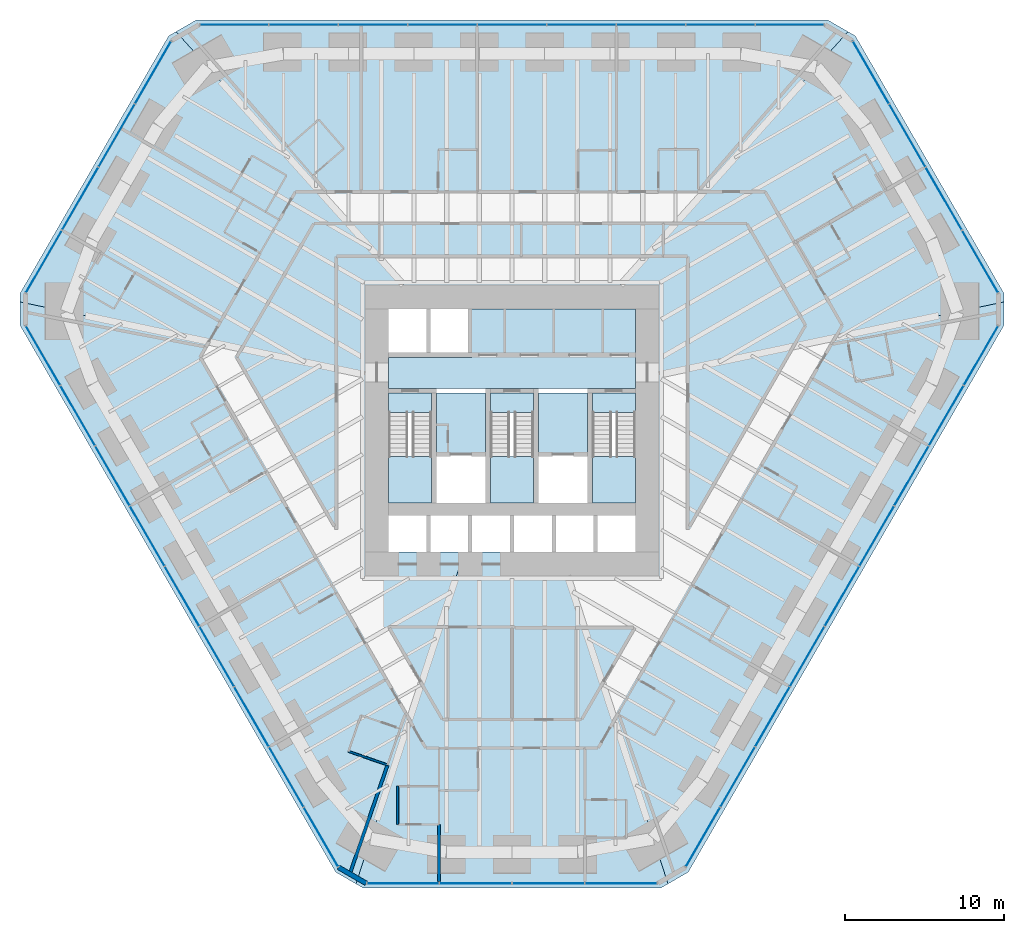
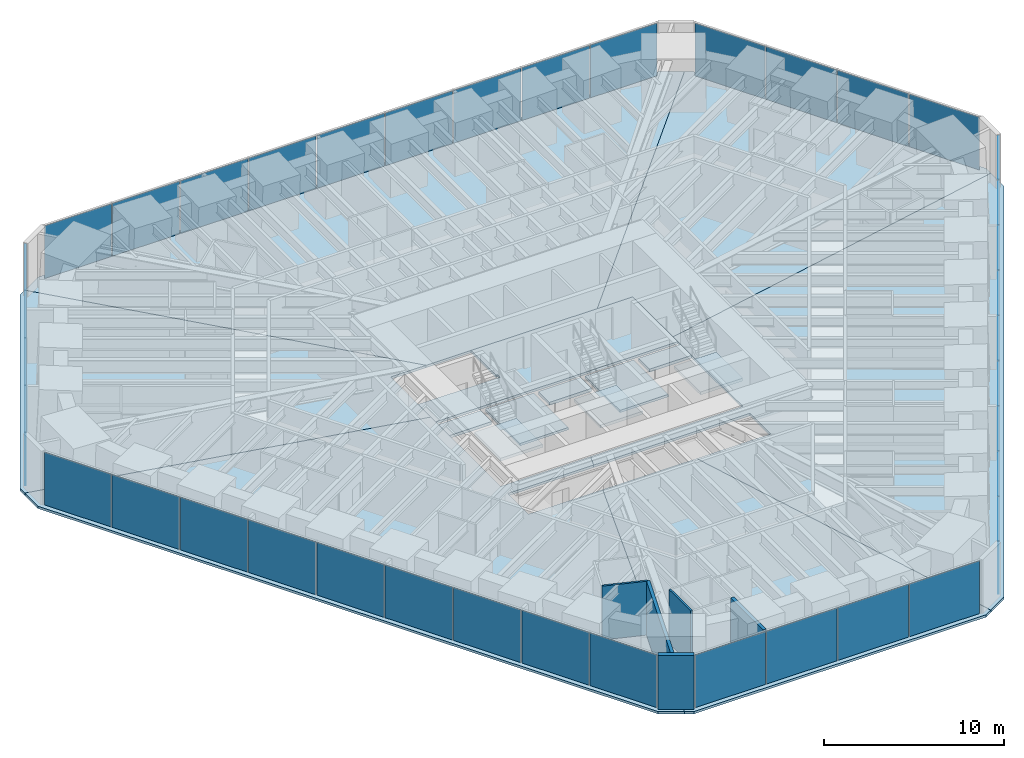
# One storey, part 10 of 17: 39 plates, 15 slabs, 5 walls, 9 elements without a shape of their own.
"""IFC4 building model written with IfcOpenShell, lengths in metres."""

from ifc_helpers import new_model, si_unit, direction, frame, frame_2d, origin, origin_2d, place, context, subcontext, project, spatial, polyline, rectangle, outline, extrude, material, layer, layer_set, type_object, element, aggregate, save


model = new_model("IFC4")

# Units and contexts
model_context = context("Model", 3, precision=1e-05, world=origin(), true_north=direction((0.0, 1.0)))
body_context = subcontext(model_context, "Body", "Model", "MODEL_VIEW")
ifc_project = project(units=[si_unit("LENGTHUNIT", "METRE"), si_unit("AREAUNIT", "SQUARE_METRE"), si_unit("VOLUMEUNIT", "CUBIC_METRE"), si_unit("PLANEANGLEUNIT", "RADIAN"), si_unit("MASSUNIT", "GRAM", prefix="KILO")], contexts=[model_context])

# Site, building, storey
site_placement = place(None, origin())
site = spatial("IfcSite", under=ifc_project, at=site_placement, CompositionType="ELEMENT")
building_placement = place(site_placement, origin())
building = spatial("IfcBuilding", under=site, at=building_placement, Name="Sandreach Pilgrim Tower", CompositionType="ELEMENT")
storey_placement = place(building_placement, frame((0.0, 0.0, 68.60009765625)))
storey = spatial("IfcBuildingStorey", under=building, at=storey_placement, Name="L16", CompositionType="ELEMENT", Elevation=68.60009765625)

# Curtain wall, plates
ifc_material_1 = material(Name="Aluminium framed curtain wall", Category="aluminium")
curtain_wall_type = type_object("IfcCurtainWallType", Name="Hostel tower curtain wall", PredefinedType="NOTDEFINED", material=ifc_material_1)
curtain_wall_1_placement = place(storey_placement, origin())
curtain_wall_1 = element("IfcCurtainWall", 1, at=curtain_wall_1_placement, inside=storey, type_object=curtain_wall_type, Name="CW-1 L16 N", PredefinedType="NOTDEFINED")
ifc_material_2 = material(Name="Insulating glass unit 6 heat-strengthened + 12 argon + 6 heat-strengthened", Category="glass")
ifc_layer_1 = layer(ifc_material_2, 0.02392578125)
ifc_layer_set_1 = layer_set([ifc_layer_1], Name="CW-1 panel")
plate_type = type_object("IfcPlateType", Name="CW-1 panel", PredefinedType="CURTAIN_PANEL", material=ifc_layer_set_1)
plate_1_placement = place(storey_placement, frame((-17.469970703125, 23.94873046875, 0.0), z_axis=(0.0, 0.0, 1.0), x_axis=(1.0, 0.0, 0.0)))
plate_1 = element("IfcPlate", 2, at=plate_1_placement, type_object=plate_type, Name="CW-1 panel 1", PredefinedType="CURTAIN_PANEL", context=body_context, shape_type="SweptSolid", body=[
    extrude(rectangle(XDim=4.274169921875, YDim=0.02392578125, at=origin_2d()), origin(), (0.0, 0.0, 1.0), 3.570068359375),
])
plate_2_placement = place(storey_placement, frame((-13.11474609375, 23.94873046875, 0.0), z_axis=(0.0, 0.0, 1.0), x_axis=(1.0, 0.0, 0.0)))
plate_2 = element("IfcPlate", 3, at=plate_2_placement, type_object=plate_type, Name="CW-1 panel 2", PredefinedType="CURTAIN_PANEL", context=body_context, shape_type="SweptSolid", body=[
    extrude(rectangle(XDim=4.306640625, YDim=0.02392578125, at=origin_2d()), origin(), (0.0, 0.0, 1.0), 3.570068359375),
])
plate_3_placement = place(storey_placement, frame((-8.7431640625, 23.94873046875, 0.0), z_axis=(0.0, 0.0, 1.0), x_axis=(1.0, 0.0, 0.0)))
plate_3 = element("IfcPlate", 4, at=plate_3_placement, type_object=plate_type, Name="CW-1 panel 3", PredefinedType="CURTAIN_PANEL", context=body_context, shape_type="SweptSolid", body=[
    extrude(rectangle(XDim=4.306640625, YDim=0.02392578125, at=origin_2d()), origin(), (0.0, 0.0, 1.0), 3.570068359375),
])
plate_4_placement = place(storey_placement, frame((-4.37158203125, 23.94873046875, 0.0), z_axis=(0.0, 0.0, 1.0), x_axis=(1.0, 0.0, 0.0)))
plate_4 = element("IfcPlate", 5, at=plate_4_placement, type_object=plate_type, Name="CW-1 panel 4", PredefinedType="CURTAIN_PANEL", context=body_context, shape_type="SweptSolid", body=[
    extrude(rectangle(XDim=4.306640625, YDim=0.02392578125, at=origin_2d()), origin(), (0.0, 0.0, 1.0), 3.570068359375),
])
plate_5_placement = place(storey_placement, frame((0.0, 23.94873046875, 0.0), z_axis=(0.0, 0.0, 1.0), x_axis=(1.0, 0.0, 0.0)))
plate_5 = element("IfcPlate", 6, at=plate_5_placement, type_object=plate_type, Name="CW-1 panel 5", PredefinedType="CURTAIN_PANEL", context=body_context, shape_type="SweptSolid", body=[
    extrude(rectangle(XDim=4.306640625, YDim=0.02392578125, at=origin_2d()), origin(), (0.0, 0.0, 1.0), 3.570068359375),
])
plate_6_placement = place(storey_placement, frame((4.37158203125, 23.94873046875, 0.0), z_axis=(0.0, 0.0, 1.0), x_axis=(1.0, 0.0, 0.0)))
plate_6 = element("IfcPlate", 7, at=plate_6_placement, type_object=plate_type, Name="CW-1 panel 6", PredefinedType="CURTAIN_PANEL", context=body_context, shape_type="SweptSolid", body=[
    extrude(rectangle(XDim=4.306640625, YDim=0.02392578125, at=origin_2d()), origin(), (0.0, 0.0, 1.0), 3.570068359375),
])
plate_7_placement = place(storey_placement, frame((8.7431640625, 23.94873046875, 0.0), z_axis=(0.0, 0.0, 1.0), x_axis=(1.0, 0.0, 0.0)))
plate_7 = element("IfcPlate", 8, at=plate_7_placement, type_object=plate_type, Name="CW-1 panel 7", PredefinedType="CURTAIN_PANEL", context=body_context, shape_type="SweptSolid", body=[
    extrude(rectangle(XDim=4.306640625, YDim=0.02392578125, at=origin_2d()), origin(), (0.0, 0.0, 1.0), 3.570068359375),
])
plate_8_placement = place(storey_placement, frame((13.11474609375, 23.94873046875, 0.0), z_axis=(0.0, 0.0, 1.0), x_axis=(1.0, 0.0, 0.0)))
plate_8 = element("IfcPlate", 9, at=plate_8_placement, type_object=plate_type, Name="CW-1 panel 8", PredefinedType="CURTAIN_PANEL", context=body_context, shape_type="SweptSolid", body=[
    extrude(rectangle(XDim=4.306640625, YDim=0.02392578125, at=origin_2d()), origin(), (0.0, 0.0, 1.0), 3.570068359375),
])
plate_9_placement = place(storey_placement, frame((17.469970703125, 23.94873046875, 0.0), z_axis=(0.0, 0.0, 1.0), x_axis=(1.0, 0.0, 0.0)))
plate_9 = element("IfcPlate", 10, at=plate_9_placement, type_object=plate_type, Name="CW-1 panel 9", PredefinedType="CURTAIN_PANEL", context=body_context, shape_type="SweptSolid", body=[
    extrude(rectangle(XDim=4.274169921875, YDim=0.02392578125, at=origin_2d()), origin(), (0.0, 0.0, 1.0), 3.570068359375),
])
aggregate(curtain_wall_1, [plate_1, plate_2, plate_3, plate_4, plate_5, plate_6, plate_7, plate_8, plate_9])

curtain_wall_2_placement = place(storey_placement, origin())
curtain_wall_2 = element("IfcCurtainWall", 11, at=curtain_wall_2_placement, inside=storey, type_object=curtain_wall_type, Name="CW-1 L16 NE", PredefinedType="NOTDEFINED")
plate_10_placement = place(storey_placement, frame((22.558837890625, 20.94873046875, 0.0), z_axis=(0.0, 0.0, 1.0), x_axis=(0.5, -0.866025403784, 0.0)))
plate_10 = element("IfcPlate", 12, at=plate_10_placement, type_object=plate_type, Name="CW-1 panel 1", PredefinedType="CURTAIN_PANEL", context=body_context, shape_type="SweptSolid", body=[
    extrude(rectangle(XDim=4.488525390625, YDim=0.02392578125, at=origin_2d()), origin(), (0.0, 0.0, 1.0), 3.570068359375),
])
plate_11_placement = place(storey_placement, frame((24.84375, 16.9912109375, 0.0), z_axis=(0.0, 0.0, 1.0), x_axis=(0.5, -0.866025403784, 0.0)))
plate_11 = element("IfcPlate", 13, at=plate_11_placement, type_object=plate_type, Name="CW-1 panel 2", PredefinedType="CURTAIN_PANEL", context=body_context, shape_type="SweptSolid", body=[
    extrude(rectangle(XDim=4.52099609375, YDim=0.02392578125, at=origin_2d()), origin(), (0.0, 0.0, 1.0), 3.570068359375),
])
plate_12_placement = place(storey_placement, frame((27.13671875, 13.01953125, 0.0), z_axis=(0.0, 0.0, 1.0), x_axis=(0.5, -0.866025403784, 0.0)))
plate_12 = element("IfcPlate", 14, at=plate_12_placement, type_object=plate_type, Name="CW-1 panel 3", PredefinedType="CURTAIN_PANEL", context=body_context, shape_type="SweptSolid", body=[
    extrude(rectangle(XDim=4.52099609375, YDim=0.02392578125, at=origin_2d()), origin(), (0.0, 0.0, 1.0), 3.570068359375),
])
plate_13_placement = place(storey_placement, frame((29.421630859375, 9.06201171875, 0.0), z_axis=(0.0, 0.0, 1.0), x_axis=(0.5, -0.866025403784, 0.0)))
plate_13 = element("IfcPlate", 15, at=plate_13_placement, type_object=plate_type, Name="CW-1 panel 4", PredefinedType="CURTAIN_PANEL", context=body_context, shape_type="SweptSolid", body=[
    extrude(rectangle(XDim=4.488525390625, YDim=0.02392578125, at=origin_2d()), origin(), (0.0, 0.0, 1.0), 3.570068359375),
])
aggregate(curtain_wall_2, [plate_10, plate_11, plate_12, plate_13])

curtain_wall_3_placement = place(storey_placement, origin())
curtain_wall_3 = element("IfcCurtainWall", 16, at=curtain_wall_3_placement, inside=storey, type_object=curtain_wall_type, Name="CW-1 L16 SE", PredefinedType="NOTDEFINED")
plate_14_placement = place(storey_placement, frame((29.475341796875, 3.1552734375, 0.0), z_axis=(0.0, 0.0, 1.0), x_axis=(-0.5, -0.866025403784, 0.0)))
plate_14 = element("IfcPlate", 17, at=plate_14_placement, type_object=plate_type, Name="CW-1 panel 1", PredefinedType="CURTAIN_PANEL", context=body_context, shape_type="SweptSolid", body=[
    extrude(rectangle(XDim=4.274169921875, YDim=0.02392578125, at=origin_2d()), origin(), (0.0, 0.0, 1.0), 3.570068359375),
])
plate_15_placement = place(storey_placement, frame((27.297607421875, -0.61669921875, 0.0), z_axis=(0.0, 0.0, 1.0), x_axis=(-0.5, -0.866025403784, 0.0)))
plate_15 = element("IfcPlate", 18, at=plate_15_placement, type_object=plate_type, Name="CW-1 panel 2", PredefinedType="CURTAIN_PANEL", context=body_context, shape_type="SweptSolid", body=[
    extrude(rectangle(XDim=4.306640625, YDim=0.02392578125, at=origin_2d()), origin(), (0.0, 0.0, 1.0), 3.570068359375),
])
plate_16_placement = place(storey_placement, frame((25.11181640625, -4.402587890625, 0.0), z_axis=(0.0, 0.0, 1.0), x_axis=(-0.5, -0.866025403784, 0.0)))
plate_16 = element("IfcPlate", 19, at=plate_16_placement, type_object=plate_type, Name="CW-1 panel 3", PredefinedType="CURTAIN_PANEL", context=body_context, shape_type="SweptSolid", body=[
    extrude(rectangle(XDim=4.306640625, YDim=0.02392578125, at=origin_2d()), origin(), (0.0, 0.0, 1.0), 3.570068359375),
])
plate_17_placement = place(storey_placement, frame((22.926025390625, -8.1884765625, 0.0), z_axis=(0.0, 0.0, 1.0), x_axis=(-0.5, -0.866025403784, 0.0)))
plate_17 = element("IfcPlate", 20, at=plate_17_placement, type_object=plate_type, Name="CW-1 panel 4", PredefinedType="CURTAIN_PANEL", context=body_context, shape_type="SweptSolid", body=[
    extrude(rectangle(XDim=4.306640625, YDim=0.02392578125, at=origin_2d()), origin(), (0.0, 0.0, 1.0), 3.570068359375),
])
plate_18_placement = place(storey_placement, frame((20.740234375, -11.974365234375, 0.0), z_axis=(0.0, 0.0, 1.0), x_axis=(-0.5, -0.866025403784, 0.0)))
plate_18 = element("IfcPlate", 21, at=plate_18_placement, type_object=plate_type, Name="CW-1 panel 5", PredefinedType="CURTAIN_PANEL", context=body_context, shape_type="SweptSolid", body=[
    extrude(rectangle(XDim=4.306640625, YDim=0.02392578125, at=origin_2d()), origin(), (0.0, 0.0, 1.0), 3.570068359375),
])
plate_19_placement = place(storey_placement, frame((18.554443359375, -15.76025390625, 0.0), z_axis=(0.0, 0.0, 1.0), x_axis=(-0.5, -0.866025403784, 0.0)))
plate_19 = element("IfcPlate", 22, at=plate_19_placement, type_object=plate_type, Name="CW-1 panel 6", PredefinedType="CURTAIN_PANEL", context=body_context, shape_type="SweptSolid", body=[
    extrude(rectangle(XDim=4.306640625, YDim=0.02392578125, at=origin_2d()), origin(), (0.0, 0.0, 1.0), 3.570068359375),
])
plate_20_placement = place(storey_placement, frame((16.36865234375, -19.546142578125, 0.0), z_axis=(0.0, 0.0, 1.0), x_axis=(-0.5, -0.866025403784, 0.0)))
plate_20 = element("IfcPlate", 23, at=plate_20_placement, type_object=plate_type, Name="CW-1 panel 7", PredefinedType="CURTAIN_PANEL", context=body_context, shape_type="SweptSolid", body=[
    extrude(rectangle(XDim=4.306640625, YDim=0.02392578125, at=origin_2d()), origin(), (0.0, 0.0, 1.0), 3.570068359375),
])
plate_21_placement = place(storey_placement, frame((14.182861328125, -23.33203125, 0.0), z_axis=(0.0, 0.0, 1.0), x_axis=(-0.5, -0.866025403784, 0.0)))
plate_21 = element("IfcPlate", 24, at=plate_21_placement, type_object=plate_type, Name="CW-1 panel 8", PredefinedType="CURTAIN_PANEL", context=body_context, shape_type="SweptSolid", body=[
    extrude(rectangle(XDim=4.306640625, YDim=0.02392578125, at=origin_2d()), origin(), (0.0, 0.0, 1.0), 3.570068359375),
])
plate_22_placement = place(storey_placement, frame((12.005126953125, -27.103759765625, 0.0), z_axis=(0.0, 0.0, 1.0), x_axis=(-0.5, -0.866025403784, 0.0)))
plate_22 = element("IfcPlate", 25, at=plate_22_placement, type_object=plate_type, Name="CW-1 panel 9", PredefinedType="CURTAIN_PANEL", context=body_context, shape_type="SweptSolid", body=[
    extrude(rectangle(XDim=4.274169921875, YDim=0.02392578125, at=origin_2d()), origin(), (0.0, 0.0, 1.0), 3.570068359375),
])
aggregate(curtain_wall_3, [plate_14, plate_15, plate_16, plate_17, plate_18, plate_19, plate_20, plate_21, plate_22])

curtain_wall_4_placement = place(storey_placement, origin())
curtain_wall_4 = element("IfcCurtainWall", 26, at=curtain_wall_4_placement, inside=storey, type_object=curtain_wall_type, Name="CW-1 L16 S", PredefinedType="NOTDEFINED")
plate_23_placement = place(storey_placement, frame((6.86279296875, -30.010986328125, 0.0), z_axis=(0.0, 0.0, 1.0), x_axis=(-1.0, 0.0, 0.0)))
plate_23 = element("IfcPlate", 27, at=plate_23_placement, type_object=plate_type, Name="CW-1 panel 1", PredefinedType="CURTAIN_PANEL", context=body_context, shape_type="SweptSolid", body=[
    extrude(rectangle(XDim=4.488525390625, YDim=0.02392578125, at=origin_2d()), origin(), (0.0, 0.0, 1.0), 3.570068359375),
])
plate_24_placement = place(storey_placement, frame((2.29296875, -30.010986328125, 0.0), z_axis=(0.0, 0.0, 1.0), x_axis=(-1.0, 0.0, 0.0)))
plate_24 = element("IfcPlate", 28, at=plate_24_placement, type_object=plate_type, Name="CW-1 panel 2", PredefinedType="CURTAIN_PANEL", context=body_context, shape_type="SweptSolid", body=[
    extrude(rectangle(XDim=4.52099609375, YDim=0.02392578125, at=origin_2d()), origin(), (0.0, 0.0, 1.0), 3.570068359375),
])
plate_25_placement = place(storey_placement, frame((-2.29296875, -30.010986328125, 0.0), z_axis=(0.0, 0.0, 1.0), x_axis=(-1.0, 0.0, 0.0)))
plate_25 = element("IfcPlate", 29, at=plate_25_placement, type_object=plate_type, Name="CW-1 panel 3", PredefinedType="CURTAIN_PANEL", context=body_context, shape_type="SweptSolid", body=[
    extrude(rectangle(XDim=4.52099609375, YDim=0.02392578125, at=origin_2d()), origin(), (0.0, 0.0, 1.0), 3.570068359375),
])
plate_26_placement = place(storey_placement, frame((-6.86279296875, -30.010986328125, 0.0), z_axis=(0.0, 0.0, 1.0), x_axis=(-1.0, 0.0, 0.0)))
plate_26 = element("IfcPlate", 30, at=plate_26_placement, type_object=plate_type, Name="CW-1 panel 4", PredefinedType="CURTAIN_PANEL", context=body_context, shape_type="SweptSolid", body=[
    extrude(rectangle(XDim=4.488525390625, YDim=0.02392578125, at=origin_2d()), origin(), (0.0, 0.0, 1.0), 3.570068359375),
])
aggregate(curtain_wall_4, [plate_23, plate_24, plate_25, plate_26])

curtain_wall_5_placement = place(storey_placement, origin())
curtain_wall_5 = element("IfcCurtainWall", 31, at=curtain_wall_5_placement, inside=storey, type_object=curtain_wall_type, Name="CW-1 L16 SW", PredefinedType="NOTDEFINED")
plate_27_placement = place(storey_placement, frame((-12.005126953125, -27.103759765625, 0.0), z_axis=(0.0, 0.0, 1.0), x_axis=(-0.5, 0.866025403784, 0.0)))
plate_27 = element("IfcPlate", 32, at=plate_27_placement, type_object=plate_type, Name="CW-1 panel 1", PredefinedType="CURTAIN_PANEL", context=body_context, shape_type="SweptSolid", body=[
    extrude(rectangle(XDim=4.274169921875, YDim=0.02392578125, at=origin_2d()), origin(), (0.0, 0.0, 1.0), 3.570068359375),
])
plate_28_placement = place(storey_placement, frame((-14.182861328125, -23.33203125, 0.0), z_axis=(0.0, 0.0, 1.0), x_axis=(-0.5, 0.866025403784, 0.0)))
plate_28 = element("IfcPlate", 33, at=plate_28_placement, type_object=plate_type, Name="CW-1 panel 2", PredefinedType="CURTAIN_PANEL", context=body_context, shape_type="SweptSolid", body=[
    extrude(rectangle(XDim=4.306640625, YDim=0.02392578125, at=origin_2d()), origin(), (0.0, 0.0, 1.0), 3.570068359375),
])
plate_29_placement = place(storey_placement, frame((-16.36865234375, -19.546142578125, 0.0), z_axis=(0.0, 0.0, 1.0), x_axis=(-0.5, 0.866025403784, 0.0)))
plate_29 = element("IfcPlate", 34, at=plate_29_placement, type_object=plate_type, Name="CW-1 panel 3", PredefinedType="CURTAIN_PANEL", context=body_context, shape_type="SweptSolid", body=[
    extrude(rectangle(XDim=4.306640625, YDim=0.02392578125, at=origin_2d()), origin(), (0.0, 0.0, 1.0), 3.570068359375),
])
plate_30_placement = place(storey_placement, frame((-18.554443359375, -15.76025390625, 0.0), z_axis=(0.0, 0.0, 1.0), x_axis=(-0.5, 0.866025403784, 0.0)))
plate_30 = element("IfcPlate", 35, at=plate_30_placement, type_object=plate_type, Name="CW-1 panel 4", PredefinedType="CURTAIN_PANEL", context=body_context, shape_type="SweptSolid", body=[
    extrude(rectangle(XDim=4.306640625, YDim=0.02392578125, at=origin_2d()), origin(), (0.0, 0.0, 1.0), 3.570068359375),
])
plate_31_placement = place(storey_placement, frame((-20.740234375, -11.974365234375, 0.0), z_axis=(0.0, 0.0, 1.0), x_axis=(-0.5, 0.866025403784, 0.0)))
plate_31 = element("IfcPlate", 36, at=plate_31_placement, type_object=plate_type, Name="CW-1 panel 5", PredefinedType="CURTAIN_PANEL", context=body_context, shape_type="SweptSolid", body=[
    extrude(rectangle(XDim=4.306640625, YDim=0.02392578125, at=origin_2d()), origin(), (0.0, 0.0, 1.0), 3.570068359375),
])
plate_32_placement = place(storey_placement, frame((-22.926025390625, -8.1884765625, 0.0), z_axis=(0.0, 0.0, 1.0), x_axis=(-0.5, 0.866025403784, 0.0)))
plate_32 = element("IfcPlate", 37, at=plate_32_placement, type_object=plate_type, Name="CW-1 panel 6", PredefinedType="CURTAIN_PANEL", context=body_context, shape_type="SweptSolid", body=[
    extrude(rectangle(XDim=4.306640625, YDim=0.02392578125, at=origin_2d()), origin(), (0.0, 0.0, 1.0), 3.570068359375),
])
plate_33_placement = place(storey_placement, frame((-25.11181640625, -4.402587890625, 0.0), z_axis=(0.0, 0.0, 1.0), x_axis=(-0.5, 0.866025403784, 0.0)))
plate_33 = element("IfcPlate", 38, at=plate_33_placement, type_object=plate_type, Name="CW-1 panel 7", PredefinedType="CURTAIN_PANEL", context=body_context, shape_type="SweptSolid", body=[
    extrude(rectangle(XDim=4.306640625, YDim=0.02392578125, at=origin_2d()), origin(), (0.0, 0.0, 1.0), 3.570068359375),
])
plate_34_placement = place(storey_placement, frame((-27.297607421875, -0.61669921875, 0.0), z_axis=(0.0, 0.0, 1.0), x_axis=(-0.5, 0.866025403784, 0.0)))
plate_34 = element("IfcPlate", 39, at=plate_34_placement, type_object=plate_type, Name="CW-1 panel 8", PredefinedType="CURTAIN_PANEL", context=body_context, shape_type="SweptSolid", body=[
    extrude(rectangle(XDim=4.306640625, YDim=0.02392578125, at=origin_2d()), origin(), (0.0, 0.0, 1.0), 3.570068359375),
])
plate_35_placement = place(storey_placement, frame((-29.475341796875, 3.1552734375, 0.0), z_axis=(0.0, 0.0, 1.0), x_axis=(-0.5, 0.866025403784, 0.0)))
plate_35 = element("IfcPlate", 40, at=plate_35_placement, type_object=plate_type, Name="CW-1 panel 9", PredefinedType="CURTAIN_PANEL", context=body_context, shape_type="SweptSolid", body=[
    extrude(rectangle(XDim=4.274169921875, YDim=0.02392578125, at=origin_2d()), origin(), (0.0, 0.0, 1.0), 3.570068359375),
])
aggregate(curtain_wall_5, [plate_27, plate_28, plate_29, plate_30, plate_31, plate_32, plate_33, plate_34, plate_35])

curtain_wall_6_placement = place(storey_placement, origin())
curtain_wall_6 = element("IfcCurtainWall", 41, at=curtain_wall_6_placement, inside=storey, type_object=curtain_wall_type, Name="CW-1 L16 NW", PredefinedType="NOTDEFINED")
plate_36_placement = place(storey_placement, frame((-29.421630859375, 9.06201171875, 0.0), z_axis=(0.0, 0.0, 1.0), x_axis=(0.5, 0.866025403784, 0.0)))
plate_36 = element("IfcPlate", 42, at=plate_36_placement, type_object=plate_type, Name="CW-1 panel 1", PredefinedType="CURTAIN_PANEL", context=body_context, shape_type="SweptSolid", body=[
    extrude(rectangle(XDim=4.488525390625, YDim=0.02392578125, at=origin_2d()), origin(), (0.0, 0.0, 1.0), 3.570068359375),
])
plate_37_placement = place(storey_placement, frame((-27.13671875, 13.01953125, 0.0), z_axis=(0.0, 0.0, 1.0), x_axis=(0.5, 0.866025403784, 0.0)))
plate_37 = element("IfcPlate", 43, at=plate_37_placement, type_object=plate_type, Name="CW-1 panel 2", PredefinedType="CURTAIN_PANEL", context=body_context, shape_type="SweptSolid", body=[
    extrude(rectangle(XDim=4.52099609375, YDim=0.02392578125, at=origin_2d()), origin(), (0.0, 0.0, 1.0), 3.570068359375),
])
plate_38_placement = place(storey_placement, frame((-24.84375, 16.9912109375, 0.0), z_axis=(0.0, 0.0, 1.0), x_axis=(0.5, 0.866025403784, 0.0)))
plate_38 = element("IfcPlate", 44, at=plate_38_placement, type_object=plate_type, Name="CW-1 panel 3", PredefinedType="CURTAIN_PANEL", context=body_context, shape_type="SweptSolid", body=[
    extrude(rectangle(XDim=4.52099609375, YDim=0.02392578125, at=origin_2d()), origin(), (0.0, 0.0, 1.0), 3.570068359375),
])
plate_39_placement = place(storey_placement, frame((-22.558837890625, 20.94873046875, 0.0), z_axis=(0.0, 0.0, 1.0), x_axis=(0.5, 0.866025403784, 0.0)))
plate_39 = element("IfcPlate", 45, at=plate_39_placement, type_object=plate_type, Name="CW-1 panel 4", PredefinedType="CURTAIN_PANEL", context=body_context, shape_type="SweptSolid", body=[
    extrude(rectangle(XDim=4.488525390625, YDim=0.02392578125, at=origin_2d()), origin(), (0.0, 0.0, 1.0), 3.570068359375),
])
aggregate(curtain_wall_6, [plate_36, plate_37, plate_38, plate_39])

# Slabs
ifc_material_3 = material(Name="Concrete 8000 psi", Category="concrete")
ifc_layer_2 = layer(ifc_material_3, 0.159912109375)
ifc_layer_set_2 = layer_set([ifc_layer_2], Name="Composite floor slab 160")
slab_type_1 = type_object("IfcSlabType", Name="Composite floor slab 160", PredefinedType="FLOOR", material=ifc_layer_set_2)
slab_1_placement = place(storey_placement, frame((0.0, 0.0, -0.16015625)))
element("IfcSlab", 46, at=slab_1_placement, inside=storey, type_object=slab_type_1, Name="Floor slab L16 N sector", PredefinedType="FLOOR", context=body_context, shape_type="SweptSolid", body=[
    extrude(outline(polyline([(-19.84521484375, 24.248779296875), (19.84521484375, 24.248779296875), (21.115478515625, 23.515380859375), (5.477294921875, 6.10009765625), (-5.477294921875, 6.10009765625), (-21.115478515625, 23.515380859375), (-19.84521484375, 24.248779296875)])), origin(), (0.0, 0.0, 1.0), 0.16015625),
])
slab_2_placement = place(storey_placement, frame((0.0, 0.0, -0.16015625)))
element("IfcSlab", 47, at=slab_2_placement, inside=storey, type_object=slab_type_1, Name="Floor slab L16 NE sector", PredefinedType="FLOOR", context=body_context, shape_type="SweptSolid", body=[
    extrude(outline(polyline([(21.577392578125, 23.248779296875), (30.922607421875, 7.062255859375), (30.922607421875, 6.52880859375), (7.75, 1.63623046875), (7.75, 6.10009765625), (5.477294921875, 6.10009765625), (21.115478515625, 23.515380859375), (21.577392578125, 23.248779296875)])), origin(), (0.0, 0.0, 1.0), 0.16015625),
])
slab_3_placement = place(storey_placement, frame((0.0, 0.0, -0.16015625)))
element("IfcSlab", 48, at=slab_3_placement, inside=storey, type_object=slab_type_1, Name="Floor slab L16 SE sector", PredefinedType="FLOOR", context=body_context, shape_type="SweptSolid", body=[
    extrude(outline(polyline([(11.077392578125, -29.310791015625), (9.80712890625, -30.044189453125), (3.003173828125, -9.199951171875), (7.75, -9.199951171875), (7.75, -6.89990234375), (-2.252197265625, -6.89990234375), (-1.9912109375, -6.10009765625), (7.75, -6.10009765625), (7.75, 1.63623046875), (30.922607421875, 6.52880859375), (30.922607421875, 5.062255859375), (11.077392578125, -29.310791015625)])), origin(), (0.0, 0.0, 1.0), 0.16015625),
])
slab_4_placement = place(storey_placement, frame((0.0, 0.0, -0.16015625)))
element("IfcSlab", 49, at=slab_4_placement, inside=storey, type_object=slab_type_1, Name="Floor slab L16 S sector", PredefinedType="FLOOR", context=body_context, shape_type="SweptSolid", body=[
    extrude(outline(polyline([(9.34521484375, -30.310791015625), (-9.34521484375, -30.310791015625), (-9.80712890625, -30.044189453125), (-3.003173828125, -9.199951171875), (3.003173828125, -9.199951171875), (9.80712890625, -30.044189453125), (9.34521484375, -30.310791015625)])), origin(), (0.0, 0.0, 1.0), 0.16015625),
])
slab_5_placement = place(storey_placement, frame((0.0, 0.0, -0.16015625)))
element("IfcSlab", 50, at=slab_5_placement, inside=storey, type_object=slab_type_1, Name="Floor slab L16 SW sector", PredefinedType="FLOOR", context=body_context, shape_type="SweptSolid", body=[
    extrude(outline(polyline([(-11.077392578125, -29.310791015625), (-30.922607421875, 5.062255859375), (-30.922607421875, 6.52880859375), (-7.75, 1.63623046875), (-7.75, -6.10009765625), (-1.9912109375, -6.10009765625), (-2.252197265625, -6.89990234375), (-7.75, -6.89990234375), (-7.75, -9.199951171875), (-3.003173828125, -9.199951171875), (-9.80712890625, -30.044189453125), (-11.077392578125, -29.310791015625)])), origin(), (0.0, 0.0, 1.0), 0.16015625),
])
slab_6_placement = place(storey_placement, frame((0.0, 0.0, -0.16015625)))
element("IfcSlab", 51, at=slab_6_placement, inside=storey, type_object=slab_type_1, Name="Floor slab L16 NW sector", PredefinedType="FLOOR", context=body_context, shape_type="SweptSolid", body=[
    extrude(outline(polyline([(-30.922607421875, 7.062255859375), (-21.577392578125, 23.248779296875), (-21.115478515625, 23.515380859375), (-5.477294921875, 6.10009765625), (-7.75, 6.10009765625), (-7.75, 1.63623046875), (-30.922607421875, 6.52880859375), (-30.922607421875, 7.062255859375)])), origin(), (0.0, 0.0, 1.0), 0.16015625),
])
slab_7_placement = place(storey_placement, frame((0.0, 0.0, -0.16015625)))
element("IfcSlab", 52, at=slab_7_placement, inside=storey, type_object=slab_type_1, Name="Core floor slab and stores L16", PredefinedType="FLOOR", context=body_context, shape_type="SweptSolid", body=[
    extrude(outline(polyline([(-7.75, 3.050048828125), (-5.375, 3.050048828125), (-5.125, 3.050048828125), (-2.5, 3.050048828125), (-2.5, 3.35009765625), (-2.60009765625, 3.35009765625), (-2.60009765625, 6.10009765625), (7.75, 6.10009765625), (7.75, 1.10009765625), (5.050048828125, 1.10009765625), (4.75, 1.10009765625), (1.64990234375, 1.10009765625), (1.35009765625, 1.10009765625), (-1.35009765625, 1.10009765625), (-1.64990234375, 1.10009765625), (-4.75, 1.10009765625), (-5.050048828125, 1.10009765625), (-7.75, 1.10009765625), (-7.75, 3.050048828125)])), origin(), (0.0, 0.0, 1.0), 0.16015625),
])
slab_8_placement = place(storey_placement, frame((0.0, 0.0, -0.16015625)))
element("IfcSlab", 53, at=slab_8_placement, inside=storey, type_object=slab_type_1, Name="Core floor slab and stores L16 2", PredefinedType="FLOOR", context=body_context, shape_type="SweptSolid", body=[
    extrude(outline(polyline([(-1.64990234375, -3.050048828125), (-4.75, -3.050048828125), (-4.75, 0.800048828125), (-1.64990234375, 0.800048828125), (-1.64990234375, -3.050048828125)])), origin(), (0.0, 0.0, 1.0), 0.16015625),
])
slab_9_placement = place(storey_placement, frame((0.0, 0.0, -0.16015625)))
element("IfcSlab", 54, at=slab_9_placement, inside=storey, type_object=slab_type_1, Name="Core floor slab and stores L16 3", PredefinedType="FLOOR", context=body_context, shape_type="SweptSolid", body=[
    extrude(outline(polyline([(4.75, -3.050048828125), (1.64990234375, -3.050048828125), (1.64990234375, 0.800048828125), (4.75, 0.800048828125), (4.75, -3.050048828125)])), origin(), (0.0, 0.0, 1.0), 0.16015625),
])

# Stair, slabs
ifc_material_4 = material(Name="Concrete 8000 psi", Category="concrete")
stair_type = type_object("IfcStairType", Name="Core exit stair", PredefinedType="HALF_TURN_STAIR", material=ifc_material_4)
stair_1_placement = place(storey_placement, origin())
stair_1 = element("IfcStair", 55, at=stair_1_placement, inside=storey, type_object=stair_type, Name="Exit stair ST1 L16", PredefinedType="HALF_TURN_STAIR")
ifc_material_5 = material(Name="Concrete 8000 psi", Category="concrete")
ifc_layer_3 = layer(ifc_material_5, 0.199951171875)
ifc_layer_set_3 = layer_set([ifc_layer_3], Name="Core stair landing 200")
slab_type_2 = type_object("IfcSlabType", Name="Core stair landing 200", PredefinedType="LANDING", material=ifc_layer_set_3)
slab_10_placement = place(storey_placement, frame((0.0, 0.0, -0.2001953125)))
slab_10 = element("IfcSlab", 56, at=slab_10_placement, type_object=slab_type_2, Name="ST1 landing 1", PredefinedType="LANDING", context=body_context, shape_type="SweptSolid", body=[
    extrude(outline(polyline([(-7.75, -0.425048828125), (-5.050048828125, -0.425048828125), (-5.050048828125, 0.800048828125), (-7.75, 0.800048828125), (-7.75, -0.425048828125)])), origin(), (0.0, 0.0, 1.0), 0.2001953125),
])
slab_11_placement = place(storey_placement, frame((0.0, 0.0, 1.699951171875)))
slab_11 = element("IfcSlab", 57, at=slab_11_placement, type_object=slab_type_2, Name="ST1 landing 2", PredefinedType="LANDING", context=body_context, shape_type="SweptSolid", body=[
    extrude(outline(polyline([(-7.75, -6.10009765625), (-5.050048828125, -6.10009765625), (-5.050048828125, -3.175048828125), (-7.75, -3.175048828125), (-7.75, -6.10009765625)])), origin(), (0.0, 0.0, 1.0), 0.199951171875),
])
aggregate(stair_1, [slab_10, slab_11])

stair_2_placement = place(storey_placement, origin())
stair_2 = element("IfcStair", 58, at=stair_2_placement, inside=storey, type_object=stair_type, Name="Exit stair ST3 L16", PredefinedType="HALF_TURN_STAIR")
slab_12_placement = place(storey_placement, frame((0.0, 0.0, -0.2001953125)))
slab_12 = element("IfcSlab", 59, at=slab_12_placement, type_object=slab_type_2, Name="ST3 landing 1", PredefinedType="LANDING", context=body_context, shape_type="SweptSolid", body=[
    extrude(outline(polyline([(-1.35009765625, -0.425048828125), (1.35009765625, -0.425048828125), (1.35009765625, 0.800048828125), (-1.35009765625, 0.800048828125), (-1.35009765625, -0.425048828125)])), origin(), (0.0, 0.0, 1.0), 0.2001953125),
])
slab_13_placement = place(storey_placement, frame((0.0, 0.0, 1.699951171875)))
slab_13 = element("IfcSlab", 60, at=slab_13_placement, type_object=slab_type_2, Name="ST3 landing 2", PredefinedType="LANDING", context=body_context, shape_type="SweptSolid", body=[
    extrude(outline(polyline([(-1.35009765625, -6.10009765625), (1.35009765625, -6.10009765625), (1.35009765625, -3.175048828125), (-1.35009765625, -3.175048828125), (-1.35009765625, -6.10009765625)])), origin(), (0.0, 0.0, 1.0), 0.199951171875),
])
aggregate(stair_2, [slab_12, slab_13])

stair_3_placement = place(storey_placement, origin())
stair_3 = element("IfcStair", 61, at=stair_3_placement, inside=storey, type_object=stair_type, Name="Exit stair ST2 L16", PredefinedType="HALF_TURN_STAIR")
slab_14_placement = place(storey_placement, frame((0.0, 0.0, -0.2001953125)))
slab_14 = element("IfcSlab", 62, at=slab_14_placement, type_object=slab_type_2, Name="ST2 landing 1", PredefinedType="LANDING", context=body_context, shape_type="SweptSolid", body=[
    extrude(outline(polyline([(5.050048828125, -0.425048828125), (7.75, -0.425048828125), (7.75, 0.800048828125), (5.050048828125, 0.800048828125), (5.050048828125, -0.425048828125)])), origin(), (0.0, 0.0, 1.0), 0.2001953125),
])
slab_15_placement = place(storey_placement, frame((0.0, 0.0, 1.699951171875)))
slab_15 = element("IfcSlab", 63, at=slab_15_placement, type_object=slab_type_2, Name="ST2 landing 2", PredefinedType="LANDING", context=body_context, shape_type="SweptSolid", body=[
    extrude(outline(polyline([(5.050048828125, -6.10009765625), (7.75, -6.10009765625), (7.75, -3.175048828125), (5.050048828125, -3.175048828125), (5.050048828125, -6.10009765625)])), origin(), (0.0, 0.0, 1.0), 0.199951171875),
])
aggregate(stair_3, [slab_14, slab_15])

# Walls
ifc_material_6 = material(Name="Moisture-resistant gypsum board on steel studs", Category="steel")
ifc_layer_4 = layer(ifc_material_6, 0.1201171875)
ifc_layer_set_4 = layer_set([ifc_layer_4], Name="Bathroom partition 120")
wall_type_1 = type_object("IfcWallType", Name="Bathroom partition 120", PredefinedType="PARTITIONING", material=ifc_layer_set_4)
wall_1_placement = place(storey_placement, frame((-10.280029296875, -21.719970703125, 0.0), z_axis=(0.0, 0.0, 1.0), x_axis=(0.94515546045, -0.326620813149, 0.0)))
element("IfcWall", 64, at=wall_1_placement, inside=storey, type_object=wall_type_1, Name="Bathroom partition L16-051", PredefinedType="PARTITIONING", context=body_context, shape_type="SweptSolid", body=[
    extrude(rectangle(XDim=2.602783203125, YDim=0.1201171875, at=frame_2d((1.30126953125, 0.0))), origin(), (0.0, 0.0, 1.0), 3.639892578125),
])
wall_2_placement = place(storey_placement, frame((-7.18994140625, -23.909912109375, 0.0), z_axis=(0.0, 0.0, 1.0), x_axis=(0.0, -1.0, 0.0)))
element("IfcWall", 65, at=wall_2_placement, inside=storey, type_object=wall_type_1, Name="Bathroom partition L16-062", PredefinedType="PARTITIONING", context=body_context, shape_type="SweptSolid", body=[
    extrude(rectangle(XDim=2.400146484375, YDim=0.1201171875, at=frame_2d((1.2001953125, 0.0))), origin(), (0.0, 0.0, 1.0), 3.639892578125),
])
ifc_material_7 = material(Name="Double steel stud acoustic wall, gypsum board", Category="steel")
ifc_layer_5 = layer(ifc_material_7, 0.199951171875)
ifc_layer_set_5 = layer_set([ifc_layer_5], Name="Party wall 200")
wall_type_2 = type_object("IfcWallType", Name="Party wall 200", PredefinedType="PARTITIONING", material=ifc_layer_set_5)
wall_3_placement = place(storey_placement, frame((-10.2001953125, -29.441650390625, 0.0), z_axis=(0.0, 0.0, 1.0), x_axis=(0.327154379454, 0.944970905374, 0.0)))
element("IfcWall", 66, at=wall_3_placement, inside=storey, type_object=wall_type_2, Name="Party wall L16-052", PredefinedType="PARTITIONING", context=body_context, shape_type="SweptSolid", body=[
    extrude(rectangle(XDim=7.272216796875, YDim=0.199951171875, at=frame_2d((3.63623046875, 0.0))), origin(), (0.0, 0.0, 1.0), 3.639892578125),
])
wall_4_placement = place(storey_placement, frame((-4.590087890625, -29.889892578125, 0.0), z_axis=(0.0, 0.0, 1.0), x_axis=(0.0, 1.0, 0.0)))
element("IfcWall", 67, at=wall_4_placement, inside=storey, type_object=wall_type_2, Name="Party wall L16-069", PredefinedType="PARTITIONING", context=body_context, shape_type="SweptSolid", body=[
    extrude(rectangle(XDim=3.579833984375, YDim=0.199951171875, at=frame_2d((1.7900390625, 0.0))), origin(), (0.0, 0.0, 1.0), 3.639892578125),
])
ifc_material_8 = material(Name="Terracotta rainscreen on concrete", Category="masonry")
ifc_layer_6 = layer(ifc_material_8, 0.300048828125)
ifc_layer_set_6 = layer_set([ifc_layer_6], Name="Terracotta chamfer pier")
wall_type_3 = type_object("IfcWallType", Name="Terracotta chamfer pier", PredefinedType="SOLIDWALL", material=ifc_layer_set_6)
wall_5_placement = place(storey_placement, frame((-9.172119140625, -30.010986328125, 0.0), z_axis=(0.0, 0.0, 1.0), x_axis=(-0.866010750942, 0.50002537861, 0.0)))
element("IfcWall", 68, at=wall_5_placement, inside=storey, type_object=wall_type_3, Name="Chamfer pier L16 S", PredefinedType="SOLIDWALL", context=body_context, shape_type="SweptSolid", body=[
    extrude(rectangle(XDim=2.0, YDim=0.300048828125, at=frame_2d((1.0, 0.0))), origin(), (0.0, 0.0, 1.0), 3.639892578125),
])

save(model, "model.ifc")
